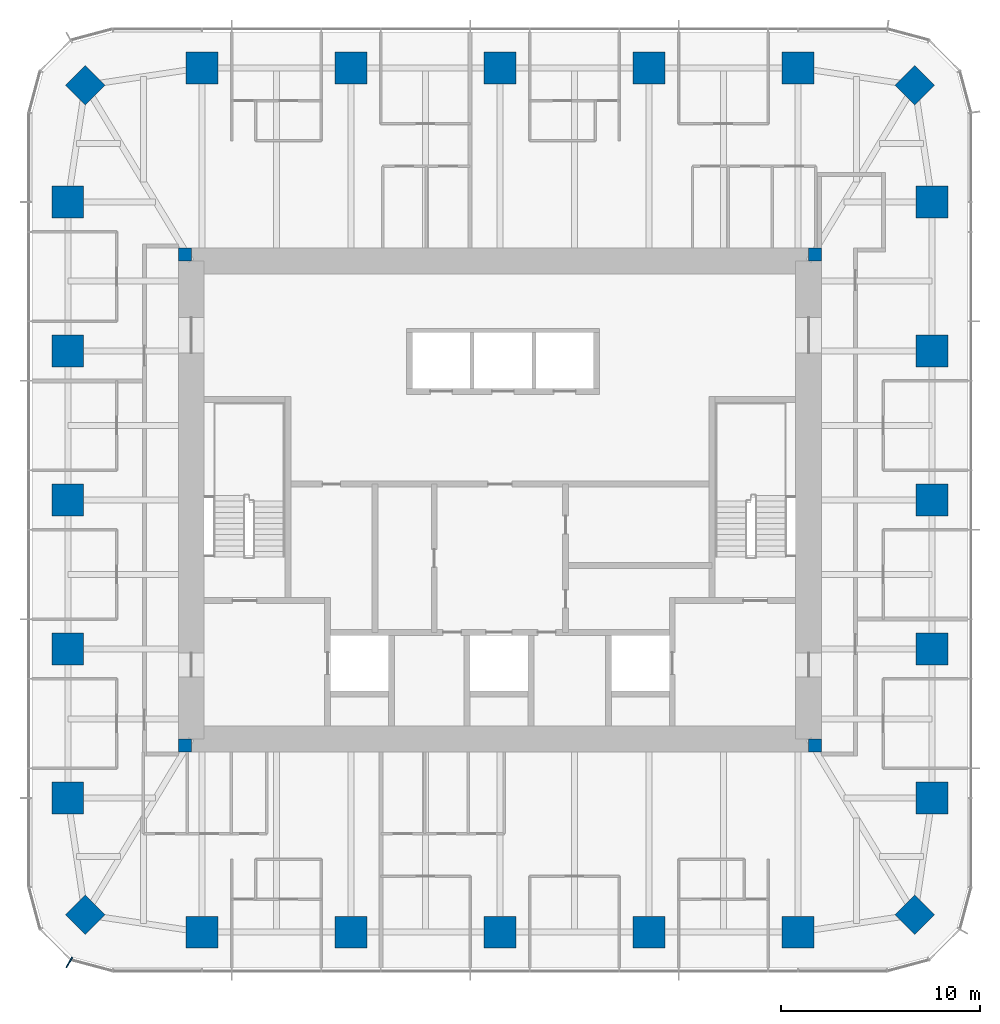
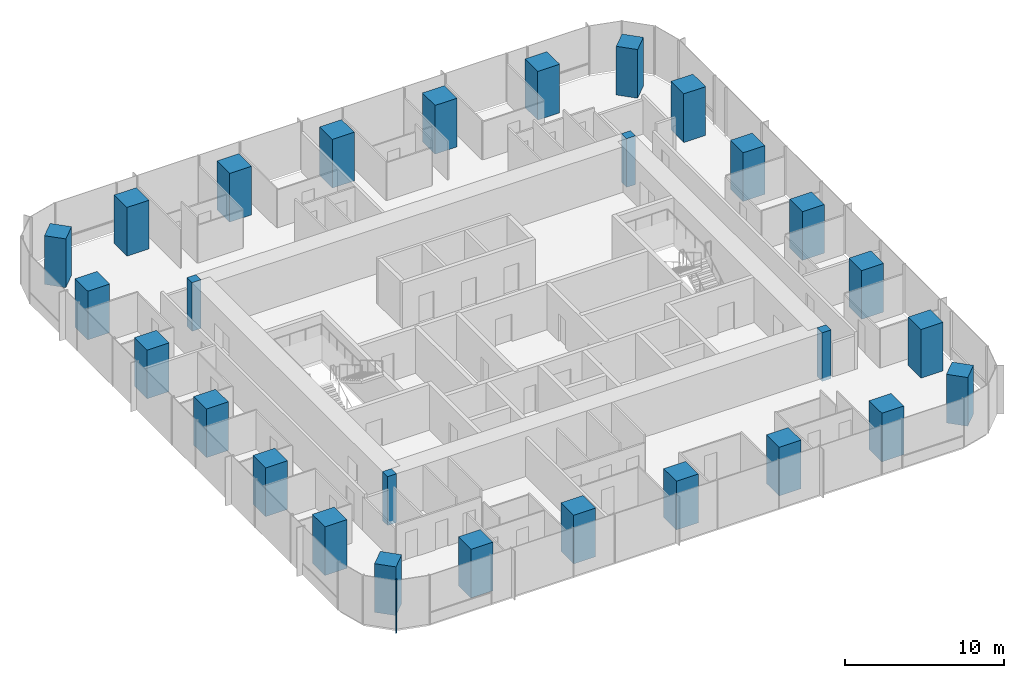
# One storey, part 1 of 12: 28 columns, 1 member, 1 element without a shape of its own.
"""IFC4 building model written with IfcOpenShell, lengths in metres."""

from ifc_helpers import new_model, si_unit, direction, frame, origin, origin_2d, place, context, subcontext, project, spatial, rectangle, extrude, material, material_profile, profile_set, type_object, element, aggregate, save


model = new_model("IFC4")

# Units and contexts
model_context = context("Model", 3, precision=1e-05, world=origin(), true_north=direction((0.0, 1.0)))
body_context = subcontext(model_context, "Body", "Model", "MODEL_VIEW")
ifc_project = project(units=[si_unit("LENGTHUNIT", "METRE"), si_unit("AREAUNIT", "SQUARE_METRE"), si_unit("VOLUMEUNIT", "CUBIC_METRE"), si_unit("PLANEANGLEUNIT", "RADIAN"), si_unit("MASSUNIT", "GRAM", prefix="KILO")], contexts=[model_context])

# Site, building, storey
site_placement = place(None, origin())
site = spatial("IfcSite", under=ifc_project, at=site_placement, CompositionType="ELEMENT")
building_placement = place(site_placement, origin())
building = spatial("IfcBuilding", under=site, at=building_placement, Name="Khuree Lantern Residences", CompositionType="ELEMENT")
storey_placement = place(building_placement, frame((0.0, 0.0, 304.5)))
storey = spatial("IfcBuildingStorey", under=building, at=storey_placement, Name="L76", CompositionType="ELEMENT", Elevation=304.5)

# Columns
ifc_material_1 = material(Name="Concrete C70/85", Category="concrete")
ifc_material_profile_1 = material_profile(ifc_material_1, rectangle(XDim=1.39990234375, YDim=1.39990234375, at=origin_2d()), Name="RC 1400X1400")
ifc_profile_set_1 = profile_set([ifc_material_profile_1], Name="Concrete C70/85")
column_type_1 = type_object("IfcColumnType", Name="CC1400 PERIMETER CORNER COLUMN RC 1400X1400", PredefinedType="COLUMN", material=ifc_profile_set_1)
for number, where, z_axis, x_axis, name in (
    (1, (20.8212890625, 20.8212890625, 0.0), (0.0, 0.0, 1.0), (0.707106781187, -0.707106781187, 0.0), "Perimeter column NE"),
    (2, (20.8212890625, -20.8212890625, 0.0), (0.0, 0.0, 1.0), (0.707106781187, 0.707106781187, 0.0), "Perimeter column SE"),
    (3, (-20.8212890625, -20.8212890625, 0.0), (0.0, 0.0, 1.0), (0.707106781187, -0.707106781187, 0.0), "Perimeter column SW"),
    (4, (-20.8212890625, 20.8212890625, 0.0), (0.0, 0.0, 1.0), (0.707106781187, 0.707106781187, 0.0), "Perimeter column NW"),
):
    element("IfcColumn", number, at=place(storey_placement, frame(where, z_axis=z_axis, x_axis=x_axis)), inside=storey, type_object=column_type_1, Name=name, PredefinedType="COLUMN", context=body_context, shape_type="SweptSolid", body=[
        extrude(rectangle(XDim=1.39990234375, YDim=1.39990234375, at=origin_2d()), origin(), (0.0, 0.0, 1.0), 3.75),
    ])
ifc_material_2 = material(Name="Concrete C50/60", Category="concrete")
ifc_material_profile_2 = material_profile(ifc_material_2, rectangle(XDim=0.64990234375, YDim=0.64990234375, at=origin_2d()), Name="RC 650X650")
ifc_profile_set_2 = profile_set([ifc_material_profile_2], Name="Concrete C50/60")
column_type_2 = type_object("IfcColumnType", Name="CP650-C50 CORE CORNER PIER C50 RC 650X650", PredefinedType="COLUMN", material=ifc_profile_set_2)
for number, where, z_axis, x_axis, name in (
    (5, (15.824951171875, 12.324951171875, -0.25), (0.0, 0.0, 1.0), (1.0, 0.0, 0.0), "Core corner pier NE"),
    (6, (-15.824951171875, 12.324951171875, -0.25), (0.0, 0.0, 1.0), (1.0, 0.0, 0.0), "Core corner pier NW"),
    (7, (-15.824951171875, -12.324951171875, -0.25), (0.0, 0.0, 1.0), (1.0, 0.0, 0.0), "Core corner pier SW"),
    (8, (15.824951171875, -12.324951171875, -0.25), (0.0, 0.0, 1.0), (1.0, 0.0, 0.0), "Core corner pier SE"),
):
    element("IfcColumn", number, at=place(storey_placement, frame(where, z_axis=z_axis, x_axis=x_axis)), inside=storey, type_object=column_type_2, Name=name, PredefinedType="COLUMN", context=body_context, shape_type="SweptSolid", body=[
        extrude(rectangle(XDim=0.64990234375, YDim=0.64990234375, at=origin_2d()), origin(), (0.0, 0.0, 1.0), 3.75),
    ])
ifc_material_profile_3 = material_profile(ifc_material_1, rectangle(XDim=1.60009765625, YDim=1.60009765625, at=origin_2d()), Name="RC 1600X1600")
ifc_profile_set_3 = profile_set([ifc_material_profile_3], Name="Concrete C70/85")
column_type_3 = type_object("IfcColumnType", Name="PC5 PERIMETER COLUMN RC 1600X1600", PredefinedType="COLUMN", material=ifc_profile_set_3)
for number, where, z_axis, x_axis, name in (
    (9, (-14.9599609375, 21.699951171875, 0.0), (0.0, 0.0, 1.0), (1.0, 0.0, 0.0), "Perimeter column N1"),
    (10, (-7.47998046875, 21.699951171875, 0.0), (0.0, 0.0, 1.0), (1.0, 0.0, 0.0), "Perimeter column N2"),
    (11, (0.0, 21.699951171875, 0.0), (0.0, 0.0, 1.0), (1.0, 0.0, 0.0), "Perimeter column N3"),
    (12, (7.47998046875, 21.699951171875, 0.0), (0.0, 0.0, 1.0), (1.0, 0.0, 0.0), "Perimeter column N4"),
    (13, (14.9599609375, 21.699951171875, 0.0), (0.0, 0.0, 1.0), (1.0, 0.0, 0.0), "Perimeter column N5"),
    (14, (21.699951171875, 14.9599609375, 0.0), (0.0, 0.0, 1.0), (0.0, 1.0, 0.0), "Perimeter column E1"),
    (15, (21.699951171875, 7.47998046875, 0.0), (0.0, 0.0, 1.0), (0.0, 1.0, 0.0), "Perimeter column E2"),
    (16, (21.699951171875, 0.0, 0.0), (0.0, 0.0, 1.0), (0.0, 1.0, 0.0), "Perimeter column E3"),
    (17, (21.699951171875, -7.47998046875, 0.0), (0.0, 0.0, 1.0), (0.0, 1.0, 0.0), "Perimeter column E4"),
    (18, (21.699951171875, -14.9599609375, 0.0), (0.0, 0.0, 1.0), (0.0, 1.0, 0.0), "Perimeter column E5"),
    (19, (14.9599609375, -21.699951171875, 0.0), (0.0, 0.0, 1.0), (1.0, 0.0, 0.0), "Perimeter column S1"),
    (20, (7.47998046875, -21.699951171875, 0.0), (0.0, 0.0, 1.0), (1.0, 0.0, 0.0), "Perimeter column S2"),
    (21, (0.0, -21.699951171875, 0.0), (0.0, 0.0, 1.0), (1.0, 0.0, 0.0), "Perimeter column S3"),
    (22, (-7.47998046875, -21.699951171875, 0.0), (0.0, 0.0, 1.0), (1.0, 0.0, 0.0), "Perimeter column S4"),
    (23, (-14.9599609375, -21.699951171875, 0.0), (0.0, 0.0, 1.0), (1.0, 0.0, 0.0), "Perimeter column S5"),
    (24, (-21.699951171875, -14.9599609375, 0.0), (0.0, 0.0, 1.0), (0.0, 1.0, 0.0), "Perimeter column W1"),
    (25, (-21.699951171875, -7.47998046875, 0.0), (0.0, 0.0, 1.0), (0.0, 1.0, 0.0), "Perimeter column W2"),
    (26, (-21.699951171875, 0.0, 0.0), (0.0, 0.0, 1.0), (0.0, 1.0, 0.0), "Perimeter column W3"),
    (27, (-21.699951171875, 7.47998046875, 0.0), (0.0, 0.0, 1.0), (0.0, 1.0, 0.0), "Perimeter column W4"),
    (28, (-21.699951171875, 14.9599609375, 0.0), (0.0, 0.0, 1.0), (0.0, 1.0, 0.0), "Perimeter column W5"),
):
    element("IfcColumn", number, at=place(storey_placement, frame(where, z_axis=z_axis, x_axis=x_axis)), inside=storey, type_object=column_type_3, Name=name, PredefinedType="COLUMN", context=body_context, shape_type="SweptSolid", body=[
        extrude(rectangle(XDim=1.60009765625, YDim=1.60009765625, at=origin_2d()), origin(), (0.0, 0.0, 1.0), 3.75),
    ])

# Curtain wall, member
ifc_material_3 = material(Name="Bronze anodised aluminium", Category="aluminium")
curtain_wall_type = type_object("IfcCurtainWallType", Name="CW-T2 TOWER CORNER CURTAIN WALL", PredefinedType="USERDEFINED", material=ifc_material_3)
curtain_wall_placement = place(storey_placement, origin())
curtain_wall = element("IfcCurtainWall", 29, at=curtain_wall_placement, inside=storey, type_object=curtain_wall_type, Name="L76 SOUTH-WEST CORNER CURTAIN WALL", ObjectType="Faceted corner curtain wall", PredefinedType="USERDEFINED")
ifc_material_profile_4 = material_profile(ifc_material_3, rectangle(XDim=0.06494140625, YDim=0.60009765625, at=origin_2d()), Name="F1 65X600")
ifc_profile_set_4 = profile_set([ifc_material_profile_4], Name="Bronze anodised aluminium")
member_type = type_object("IfcMemberType", Name="F1 BRONZE FIN MULLION TOWER 65X600", PredefinedType="MULLION", material=ifc_profile_set_4)
member_placement = place(storey_placement, frame((-21.625, -23.21728515625, 0.0), z_axis=(0.0, 0.0, 1.0), x_axis=(0.866025437565, -0.49999994149, 0.0)))
member = element("IfcMember", 30, at=member_placement, type_object=member_type, Name="L76 SOUTH-WEST CORNER FIN MULLION 45", PredefinedType="MULLION", context=body_context, shape_type="SweptSolid", body=[
    extrude(rectangle(XDim=0.06494140625, YDim=0.60009765625, at=origin_2d()), origin(), (0.0, 0.0, 1.0), 3.75),
])
aggregate(curtain_wall, [member])

save(model, "model.ifc")
